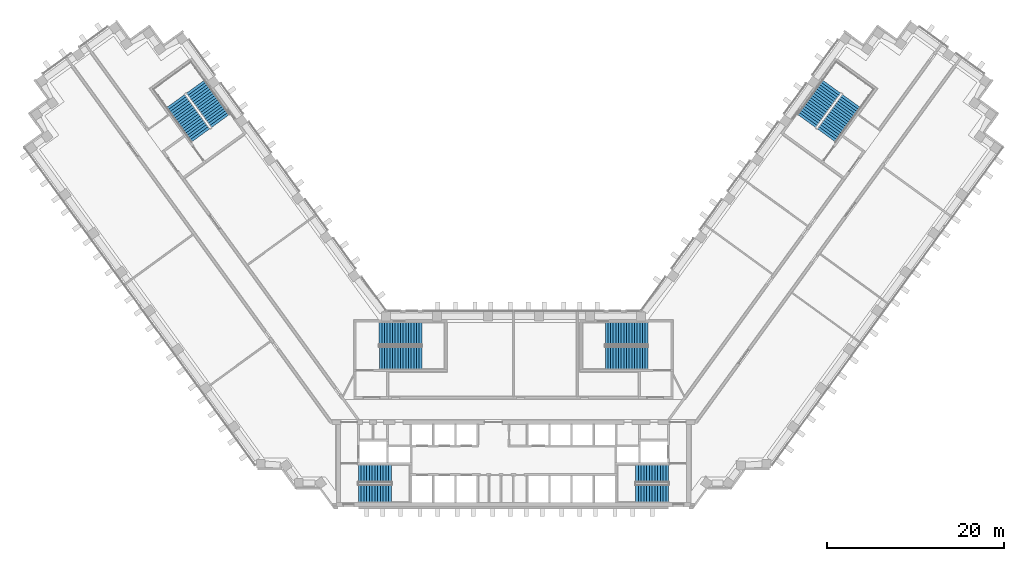
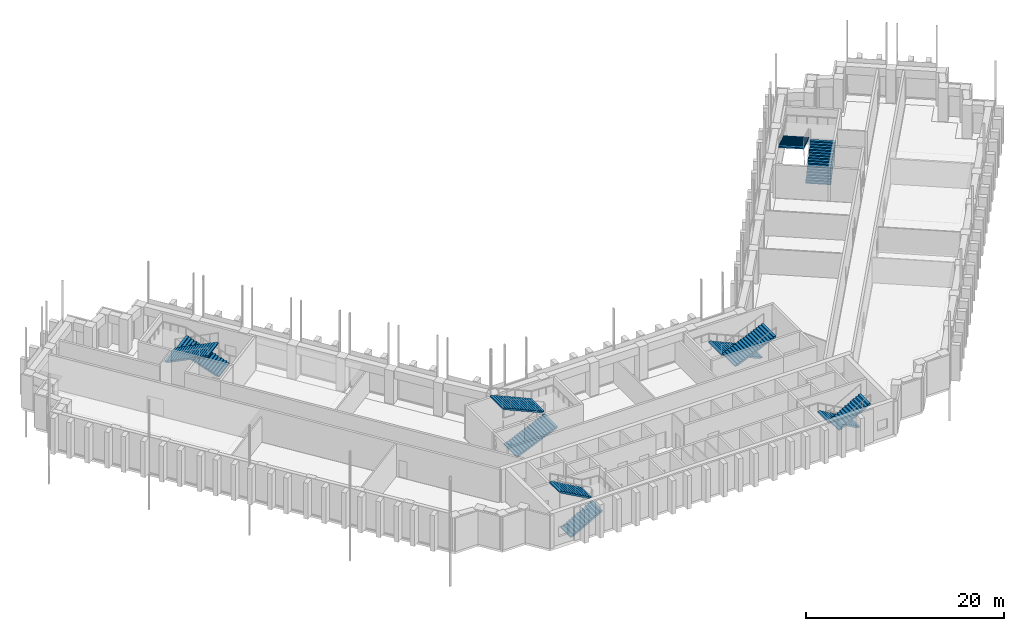
# One storey, part 15 of 18: 12 stair flights, 6 elements without a shape of their own.
"""IFC4 building model written with IfcOpenShell, lengths in metres."""

from ifc_helpers import new_model, si_unit, direction, frame, origin, place, context, subcontext, project, spatial, polyline, outline, extrude, material, type_object, element, aggregate, save


model = new_model("IFC4")

# Units and contexts
model_context = context("Model", 3, precision=1e-05, world=origin(), true_north=direction((0.0, 1.0)))
body_context = subcontext(model_context, "Body", "Model", "MODEL_VIEW")
ifc_project = project(units=[si_unit("LENGTHUNIT", "METRE"), si_unit("AREAUNIT", "SQUARE_METRE"), si_unit("VOLUMEUNIT", "CUBIC_METRE"), si_unit("PLANEANGLEUNIT", "RADIAN"), si_unit("MASSUNIT", "GRAM", prefix="KILO")], contexts=[model_context])

# Site, building, storey
site_placement = place(None, origin())
site = spatial("IfcSite", under=ifc_project, at=site_placement, CompositionType="ELEMENT")
building_placement = place(site_placement, origin())
building = spatial("IfcBuilding", under=site, at=building_placement, Name="Quipu Civic Tower", CompositionType="ELEMENT")
storey_placement = place(building_placement, frame((0.0, 0.0, 16.0)))
storey = spatial("IfcBuildingStorey", under=building, at=storey_placement, Name="L03", CompositionType="ELEMENT", Elevation=16.0)

# Stair, stair flights
ifc_material_1 = material(Name="Concrete C40/50", Category="concrete")
stair_type_1 = type_object("IfcStairType", Name="Half turn stair 2000", PredefinedType="HALF_TURN_STAIR", material=ifc_material_1)
stair_1_placement = place(storey_placement, origin())
stair_1 = element("IfcStair", 1, at=stair_1_placement, inside=storey, type_object=stair_type_1, Name="Exit stair 1", PredefinedType="HALF_TURN_STAIR")
ifc_material_2 = material(Name="Concrete C40/50", Category="concrete")
stair_flight_type_1 = type_object("IfcStairFlightType", Name="Stair flight 2000", PredefinedType="STRAIGHT", material=ifc_material_2)
stair_flight_1_placement = place(storey_placement, frame((-17.5, -9.5, 0.0), z_axis=(0.0, 0.0, 1.0), x_axis=(1.0, 0.0, 0.0)))
stair_flight_1 = element("IfcStairFlight", 2, at=stair_flight_1_placement, type_object=stair_flight_type_1, Name="ST-1 flight 1", NumberOfRisers=13, NumberOfTreads=12, PredefinedType="STRAIGHT", RiserHeight=0.173076923, TreadLength=0.31, context=body_context, shape_type="SweptSolid", body=[
    extrude(outline(polyline([(0.0, 0.0), (0.0, 0.173095703125), (0.31005859375, 0.173095703125), (0.31005859375, 0.34619140625), (0.6201171875, 0.34619140625), (0.6201171875, 0.519287109375), (0.929931640625, 0.519287109375), (0.929931640625, 0.6923828125), (1.239990234375, 0.6923828125), (1.239990234375, 0.865478515625), (1.550048828125, 0.865478515625), (1.550048828125, 1.03857421875), (1.860107421875, 1.03857421875), (1.860107421875, 1.21142578125), (2.169921875, 1.21142578125), (2.169921875, 1.384521484375), (2.47998046875, 1.384521484375), (2.47998046875, 1.5576171875), (2.7900390625, 1.5576171875), (2.7900390625, 1.730712890625), (3.10009765625, 1.730712890625), (3.10009765625, 1.90380859375), (3.409912109375, 1.90380859375), (3.409912109375, 2.076904296875), (3.719970703125, 2.076904296875), (3.719970703125, 2.25), (3.719970703125, 1.9052734375), (0.3076171875, 0.0), (0.0, 0.0)])), frame((0.0, 1.0, 0.0), z_axis=(0.0, -1.0, 0.0), x_axis=(1.0, 0.0, 0.0)), (0.0, 0.0, 1.0), 2.0),
])
stair_flight_2_placement = place(storey_placement, frame((-13.780029296875, -7.25, 2.25), z_axis=(0.0, 0.0, 1.0), x_axis=(-1.0, 0.0, 0.0)))
stair_flight_2 = element("IfcStairFlight", 3, at=stair_flight_2_placement, type_object=stair_flight_type_1, Name="ST-1 flight 2", NumberOfRisers=13, NumberOfTreads=12, PredefinedType="STRAIGHT", RiserHeight=0.173076923, TreadLength=0.31, context=body_context, shape_type="SweptSolid", body=[
    extrude(outline(polyline([(0.0, 0.0), (0.0, 0.173095703125), (0.31005859375, 0.173095703125), (0.31005859375, 0.34619140625), (0.6201171875, 0.34619140625), (0.6201171875, 0.519287109375), (0.929931640625, 0.519287109375), (0.929931640625, 0.6923828125), (1.239990234375, 0.6923828125), (1.239990234375, 0.865478515625), (1.550048828125, 0.865478515625), (1.550048828125, 1.03857421875), (1.860107421875, 1.03857421875), (1.860107421875, 1.21142578125), (2.169921875, 1.21142578125), (2.169921875, 1.384521484375), (2.47998046875, 1.384521484375), (2.47998046875, 1.5576171875), (2.7900390625, 1.5576171875), (2.7900390625, 1.730712890625), (3.10009765625, 1.730712890625), (3.10009765625, 1.90380859375), (3.409912109375, 1.90380859375), (3.409912109375, 2.076904296875), (3.719970703125, 2.076904296875), (3.719970703125, 2.25), (3.719970703125, 1.9052734375), (0.3076171875, 0.0), (0.0, 0.0)])), frame((0.0, 1.0, 0.0), z_axis=(0.0, -1.0, 0.0), x_axis=(1.0, 0.0, 0.0)), (0.0, 0.0, 1.0), 2.0),
])
aggregate(stair_1, [stair_flight_1, stair_flight_2])

stair_2_placement = place(storey_placement, origin())
stair_2 = element("IfcStair", 4, at=stair_2_placement, inside=storey, type_object=stair_type_1, Name="Exit stair 2", PredefinedType="HALF_TURN_STAIR")
stair_flight_3_placement = place(storey_placement, frame((17.5, -7.25, 0.0), z_axis=(0.0, 0.0, 1.0), x_axis=(-1.0, 0.0, 0.0)))
stair_flight_3 = element("IfcStairFlight", 5, at=stair_flight_3_placement, type_object=stair_flight_type_1, Name="ST-2 flight 1", NumberOfRisers=13, NumberOfTreads=12, PredefinedType="STRAIGHT", RiserHeight=0.173076923, TreadLength=0.31, context=body_context, shape_type="SweptSolid", body=[
    extrude(outline(polyline([(0.0, 0.0), (0.0, 0.173095703125), (0.31005859375, 0.173095703125), (0.31005859375, 0.34619140625), (0.6201171875, 0.34619140625), (0.6201171875, 0.519287109375), (0.929931640625, 0.519287109375), (0.929931640625, 0.6923828125), (1.239990234375, 0.6923828125), (1.239990234375, 0.865478515625), (1.550048828125, 0.865478515625), (1.550048828125, 1.03857421875), (1.860107421875, 1.03857421875), (1.860107421875, 1.21142578125), (2.169921875, 1.21142578125), (2.169921875, 1.384521484375), (2.47998046875, 1.384521484375), (2.47998046875, 1.5576171875), (2.7900390625, 1.5576171875), (2.7900390625, 1.730712890625), (3.10009765625, 1.730712890625), (3.10009765625, 1.90380859375), (3.409912109375, 1.90380859375), (3.409912109375, 2.076904296875), (3.719970703125, 2.076904296875), (3.719970703125, 2.25), (3.719970703125, 1.9052734375), (0.3076171875, 0.0), (0.0, 0.0)])), frame((0.0, 1.0, 0.0), z_axis=(0.0, -1.0, 0.0), x_axis=(1.0, 0.0, 0.0)), (0.0, 0.0, 1.0), 2.0),
])
stair_flight_4_placement = place(storey_placement, frame((13.780029296875, -9.5, 2.25), z_axis=(0.0, 0.0, 1.0), x_axis=(1.0, 0.0, 0.0)))
stair_flight_4 = element("IfcStairFlight", 6, at=stair_flight_4_placement, type_object=stair_flight_type_1, Name="ST-2 flight 2", NumberOfRisers=13, NumberOfTreads=12, PredefinedType="STRAIGHT", RiserHeight=0.173076923, TreadLength=0.31, context=body_context, shape_type="SweptSolid", body=[
    extrude(outline(polyline([(0.0, 0.0), (0.0, 0.173095703125), (0.31005859375, 0.173095703125), (0.31005859375, 0.34619140625), (0.6201171875, 0.34619140625), (0.6201171875, 0.519287109375), (0.929931640625, 0.519287109375), (0.929931640625, 0.6923828125), (1.239990234375, 0.6923828125), (1.239990234375, 0.865478515625), (1.550048828125, 0.865478515625), (1.550048828125, 1.03857421875), (1.860107421875, 1.03857421875), (1.860107421875, 1.21142578125), (2.169921875, 1.21142578125), (2.169921875, 1.384521484375), (2.47998046875, 1.384521484375), (2.47998046875, 1.5576171875), (2.7900390625, 1.5576171875), (2.7900390625, 1.730712890625), (3.10009765625, 1.730712890625), (3.10009765625, 1.90380859375), (3.409912109375, 1.90380859375), (3.409912109375, 2.076904296875), (3.719970703125, 2.076904296875), (3.719970703125, 2.25), (3.719970703125, 1.9052734375), (0.3076171875, 0.0), (0.0, 0.0)])), frame((0.0, 1.0, 0.0), z_axis=(0.0, -1.0, 0.0), x_axis=(1.0, 0.0, 0.0)), (0.0, 0.0, 1.0), 2.0),
])
aggregate(stair_2, [stair_flight_3, stair_flight_4])

ifc_material_3 = material(Name="Concrete C40/50", Category="concrete")
stair_type_2 = type_object("IfcStairType", Name="Half turn stair 2600", PredefinedType="HALF_TURN_STAIR", material=ifc_material_3)
stair_3_placement = place(storey_placement, origin())
stair_3 = element("IfcStair", 7, at=stair_3_placement, inside=storey, type_object=stair_type_2, Name="Exit stair 3", PredefinedType="HALF_TURN_STAIR")
ifc_material_4 = material(Name="Concrete C40/50", Category="concrete")
stair_flight_type_2 = type_object("IfcStairFlightType", Name="Stair flight 2600", PredefinedType="STRAIGHT", material=ifc_material_4)
stair_flight_5_placement = place(storey_placement, frame((-15.14990234375, 5.800048828125, 0.0), z_axis=(0.0, 0.0, 1.0), x_axis=(1.0, 0.0, 0.0)))
stair_flight_5 = element("IfcStairFlight", 8, at=stair_flight_5_placement, type_object=stair_flight_type_2, Name="ST-3 flight 1", NumberOfRisers=17, NumberOfTreads=16, PredefinedType="STRAIGHT", RiserHeight=0.132352941, TreadLength=0.3, context=body_context, shape_type="SweptSolid", body=[
    extrude(outline(polyline([(0.0, 0.0), (0.0, 0.13232421875), (0.300048828125, 0.13232421875), (0.300048828125, 0.2646484375), (0.60009765625, 0.2646484375), (0.60009765625, 0.39697265625), (0.89990234375, 0.39697265625), (0.89990234375, 0.529296875), (1.199951171875, 0.529296875), (1.199951171875, 0.661865234375), (1.5, 0.661865234375), (1.5, 0.794189453125), (1.800048828125, 0.794189453125), (1.800048828125, 0.926513671875), (2.10009765625, 0.926513671875), (2.10009765625, 1.058837890625), (2.39990234375, 1.058837890625), (2.39990234375, 1.191162109375), (2.699951171875, 1.191162109375), (2.699951171875, 1.323486328125), (3.0, 1.323486328125), (3.0, 1.455810546875), (3.300048828125, 1.455810546875), (3.300048828125, 1.588134765625), (3.60009765625, 1.588134765625), (3.60009765625, 1.720703125), (3.89990234375, 1.720703125), (3.89990234375, 1.85302734375), (4.199951171875, 1.85302734375), (4.199951171875, 1.9853515625), (4.5, 1.9853515625), (4.5, 2.11767578125), (4.800048828125, 2.11767578125), (4.800048828125, 2.25), (4.800048828125, 1.953857421875), (0.371337890625, 0.0), (0.0, 0.0)])), frame((0.0, 1.300048828125, 0.0), z_axis=(0.0, -1.0, 0.0), x_axis=(1.0, 0.0, 0.0)), (0.0, 0.0, 1.0), 2.60009765625),
])
stair_flight_6_placement = place(storey_placement, frame((-10.35009765625, 8.550048828125, 2.25), z_axis=(0.0, 0.0, 1.0), x_axis=(-1.0, 0.0, 0.0)))
stair_flight_6 = element("IfcStairFlight", 9, at=stair_flight_6_placement, type_object=stair_flight_type_2, Name="ST-3 flight 2", NumberOfRisers=17, NumberOfTreads=16, PredefinedType="STRAIGHT", RiserHeight=0.132352941, TreadLength=0.3, context=body_context, shape_type="SweptSolid", body=[
    extrude(outline(polyline([(0.0, 0.0), (0.0, 0.13232421875), (0.300048828125, 0.13232421875), (0.300048828125, 0.2646484375), (0.60009765625, 0.2646484375), (0.60009765625, 0.39697265625), (0.89990234375, 0.39697265625), (0.89990234375, 0.529296875), (1.199951171875, 0.529296875), (1.199951171875, 0.661865234375), (1.5, 0.661865234375), (1.5, 0.794189453125), (1.800048828125, 0.794189453125), (1.800048828125, 0.926513671875), (2.10009765625, 0.926513671875), (2.10009765625, 1.058837890625), (2.39990234375, 1.058837890625), (2.39990234375, 1.191162109375), (2.699951171875, 1.191162109375), (2.699951171875, 1.323486328125), (3.0, 1.323486328125), (3.0, 1.455810546875), (3.300048828125, 1.455810546875), (3.300048828125, 1.588134765625), (3.60009765625, 1.588134765625), (3.60009765625, 1.720703125), (3.89990234375, 1.720703125), (3.89990234375, 1.85302734375), (4.199951171875, 1.85302734375), (4.199951171875, 1.9853515625), (4.5, 1.9853515625), (4.5, 2.11767578125), (4.800048828125, 2.11767578125), (4.800048828125, 2.25), (4.800048828125, 1.953857421875), (0.371337890625, 0.0), (0.0, 0.0)])), frame((0.0, 1.300048828125, 0.0), z_axis=(0.0, -1.0, 0.0), x_axis=(1.0, 0.0, 0.0)), (0.0, 0.0, 1.0), 2.60009765625),
])
aggregate(stair_3, [stair_flight_5, stair_flight_6])

stair_4_placement = place(storey_placement, origin())
stair_4 = element("IfcStair", 10, at=stair_4_placement, inside=storey, type_object=stair_type_2, Name="Exit stair 4", PredefinedType="HALF_TURN_STAIR")
stair_flight_7_placement = place(storey_placement, frame((15.14990234375, 8.550048828125, 0.0), z_axis=(0.0, 0.0, 1.0), x_axis=(-1.0, 0.0, 0.0)))
stair_flight_7 = element("IfcStairFlight", 11, at=stair_flight_7_placement, type_object=stair_flight_type_2, Name="ST-4 flight 1", NumberOfRisers=17, NumberOfTreads=16, PredefinedType="STRAIGHT", RiserHeight=0.132352941, TreadLength=0.3, context=body_context, shape_type="SweptSolid", body=[
    extrude(outline(polyline([(0.0, 0.0), (0.0, 0.13232421875), (0.300048828125, 0.13232421875), (0.300048828125, 0.2646484375), (0.60009765625, 0.2646484375), (0.60009765625, 0.39697265625), (0.89990234375, 0.39697265625), (0.89990234375, 0.529296875), (1.199951171875, 0.529296875), (1.199951171875, 0.661865234375), (1.5, 0.661865234375), (1.5, 0.794189453125), (1.800048828125, 0.794189453125), (1.800048828125, 0.926513671875), (2.10009765625, 0.926513671875), (2.10009765625, 1.058837890625), (2.39990234375, 1.058837890625), (2.39990234375, 1.191162109375), (2.699951171875, 1.191162109375), (2.699951171875, 1.323486328125), (3.0, 1.323486328125), (3.0, 1.455810546875), (3.300048828125, 1.455810546875), (3.300048828125, 1.588134765625), (3.60009765625, 1.588134765625), (3.60009765625, 1.720703125), (3.89990234375, 1.720703125), (3.89990234375, 1.85302734375), (4.199951171875, 1.85302734375), (4.199951171875, 1.9853515625), (4.5, 1.9853515625), (4.5, 2.11767578125), (4.800048828125, 2.11767578125), (4.800048828125, 2.25), (4.800048828125, 1.953857421875), (0.371337890625, 0.0), (0.0, 0.0)])), frame((0.0, 1.300048828125, 0.0), z_axis=(0.0, -1.0, 0.0), x_axis=(1.0, 0.0, 0.0)), (0.0, 0.0, 1.0), 2.60009765625),
])
stair_flight_8_placement = place(storey_placement, frame((10.35009765625, 5.800048828125, 2.25), z_axis=(0.0, 0.0, 1.0), x_axis=(1.0, 0.0, 0.0)))
stair_flight_8 = element("IfcStairFlight", 12, at=stair_flight_8_placement, type_object=stair_flight_type_2, Name="ST-4 flight 2", NumberOfRisers=17, NumberOfTreads=16, PredefinedType="STRAIGHT", RiserHeight=0.132352941, TreadLength=0.3, context=body_context, shape_type="SweptSolid", body=[
    extrude(outline(polyline([(0.0, 0.0), (0.0, 0.13232421875), (0.300048828125, 0.13232421875), (0.300048828125, 0.2646484375), (0.60009765625, 0.2646484375), (0.60009765625, 0.39697265625), (0.89990234375, 0.39697265625), (0.89990234375, 0.529296875), (1.199951171875, 0.529296875), (1.199951171875, 0.661865234375), (1.5, 0.661865234375), (1.5, 0.794189453125), (1.800048828125, 0.794189453125), (1.800048828125, 0.926513671875), (2.10009765625, 0.926513671875), (2.10009765625, 1.058837890625), (2.39990234375, 1.058837890625), (2.39990234375, 1.191162109375), (2.699951171875, 1.191162109375), (2.699951171875, 1.323486328125), (3.0, 1.323486328125), (3.0, 1.455810546875), (3.300048828125, 1.455810546875), (3.300048828125, 1.588134765625), (3.60009765625, 1.588134765625), (3.60009765625, 1.720703125), (3.89990234375, 1.720703125), (3.89990234375, 1.85302734375), (4.199951171875, 1.85302734375), (4.199951171875, 1.9853515625), (4.5, 1.9853515625), (4.5, 2.11767578125), (4.800048828125, 2.11767578125), (4.800048828125, 2.25), (4.800048828125, 1.953857421875), (0.371337890625, 0.0), (0.0, 0.0)])), frame((0.0, 1.300048828125, 0.0), z_axis=(0.0, -1.0, 0.0), x_axis=(1.0, 0.0, 0.0)), (0.0, 0.0, 1.0), 2.60009765625),
])
aggregate(stair_4, [stair_flight_7, stair_flight_8])

stair_5_placement = place(storey_placement, origin())
stair_5 = element("IfcStair", 13, at=stair_5_placement, inside=storey, type_object=stair_type_2, Name="Exit stair 6", PredefinedType="HALF_TURN_STAIR")
stair_flight_9_placement = place(storey_placement, frame((-33.067626953125, 32.5322265625, 0.0), z_axis=(0.0, 0.0, 1.0), x_axis=(-0.587785252292, 0.809016994375, 0.0)))
stair_flight_9 = element("IfcStairFlight", 14, at=stair_flight_9_placement, type_object=stair_flight_type_2, Name="ST-6 flight 1", NumberOfRisers=17, NumberOfTreads=16, PredefinedType="STRAIGHT", RiserHeight=0.132352941, TreadLength=0.3, context=body_context, shape_type="SweptSolid", body=[
    extrude(outline(polyline([(0.0, 0.0), (0.0, 0.13232421875), (0.300048828125, 0.13232421875), (0.300048828125, 0.2646484375), (0.60009765625, 0.2646484375), (0.60009765625, 0.39697265625), (0.89990234375, 0.39697265625), (0.89990234375, 0.529296875), (1.199951171875, 0.529296875), (1.199951171875, 0.661865234375), (1.5, 0.661865234375), (1.5, 0.794189453125), (1.800048828125, 0.794189453125), (1.800048828125, 0.926513671875), (2.10009765625, 0.926513671875), (2.10009765625, 1.058837890625), (2.39990234375, 1.058837890625), (2.39990234375, 1.191162109375), (2.699951171875, 1.191162109375), (2.699951171875, 1.323486328125), (3.0, 1.323486328125), (3.0, 1.455810546875), (3.300048828125, 1.455810546875), (3.300048828125, 1.588134765625), (3.60009765625, 1.588134765625), (3.60009765625, 1.720703125), (3.89990234375, 1.720703125), (3.89990234375, 1.85302734375), (4.199951171875, 1.85302734375), (4.199951171875, 1.9853515625), (4.5, 1.9853515625), (4.5, 2.11767578125), (4.800048828125, 2.11767578125), (4.800048828125, 2.25), (4.800048828125, 1.953857421875), (0.371337890625, 0.0), (0.0, 0.0)])), frame((0.0, 1.300048828125, 0.0), z_axis=(0.0, -1.0, 0.0), x_axis=(1.0, 0.0, 0.0)), (0.0, 0.0, 1.0), 2.60009765625),
])
stair_flight_10_placement = place(storey_placement, frame((-38.11376953125, 34.799072265625, 2.25), z_axis=(0.0, 0.0, 1.0), x_axis=(0.587785252292, -0.809016994375, 0.0)))
stair_flight_10 = element("IfcStairFlight", 15, at=stair_flight_10_placement, type_object=stair_flight_type_2, Name="ST-6 flight 2", NumberOfRisers=17, NumberOfTreads=16, PredefinedType="STRAIGHT", RiserHeight=0.132352941, TreadLength=0.3, context=body_context, shape_type="SweptSolid", body=[
    extrude(outline(polyline([(0.0, 0.0), (0.0, 0.13232421875), (0.300048828125, 0.13232421875), (0.300048828125, 0.2646484375), (0.60009765625, 0.2646484375), (0.60009765625, 0.39697265625), (0.89990234375, 0.39697265625), (0.89990234375, 0.529296875), (1.199951171875, 0.529296875), (1.199951171875, 0.661865234375), (1.5, 0.661865234375), (1.5, 0.794189453125), (1.800048828125, 0.794189453125), (1.800048828125, 0.926513671875), (2.10009765625, 0.926513671875), (2.10009765625, 1.058837890625), (2.39990234375, 1.058837890625), (2.39990234375, 1.191162109375), (2.699951171875, 1.191162109375), (2.699951171875, 1.323486328125), (3.0, 1.323486328125), (3.0, 1.455810546875), (3.300048828125, 1.455810546875), (3.300048828125, 1.588134765625), (3.60009765625, 1.588134765625), (3.60009765625, 1.720703125), (3.89990234375, 1.720703125), (3.89990234375, 1.85302734375), (4.199951171875, 1.85302734375), (4.199951171875, 1.9853515625), (4.5, 1.9853515625), (4.5, 2.11767578125), (4.800048828125, 2.11767578125), (4.800048828125, 2.25), (4.800048828125, 1.953857421875), (0.371337890625, 0.0), (0.0, 0.0)])), frame((0.0, 1.300048828125, 0.0), z_axis=(0.0, -1.0, 0.0), x_axis=(1.0, 0.0, 0.0)), (0.0, 0.0, 1.0), 2.60009765625),
])
aggregate(stair_5, [stair_flight_9, stair_flight_10])

stair_6_placement = place(storey_placement, origin())
stair_6 = element("IfcStair", 16, at=stair_6_placement, inside=storey, type_object=stair_type_2, Name="Exit stair 7", PredefinedType="HALF_TURN_STAIR")
stair_flight_11_placement = place(storey_placement, frame((35.29248046875, 30.915771484375, 0.0), z_axis=(0.0, 0.0, 1.0), x_axis=(0.587785252292, 0.809016994375, 0.0)))
stair_flight_11 = element("IfcStairFlight", 17, at=stair_flight_11_placement, type_object=stair_flight_type_2, Name="ST-7 flight 1", NumberOfRisers=17, NumberOfTreads=16, PredefinedType="STRAIGHT", RiserHeight=0.132352941, TreadLength=0.3, context=body_context, shape_type="SweptSolid", body=[
    extrude(outline(polyline([(0.0, 0.0), (0.0, 0.13232421875), (0.300048828125, 0.13232421875), (0.300048828125, 0.2646484375), (0.60009765625, 0.2646484375), (0.60009765625, 0.39697265625), (0.89990234375, 0.39697265625), (0.89990234375, 0.529296875), (1.199951171875, 0.529296875), (1.199951171875, 0.661865234375), (1.5, 0.661865234375), (1.5, 0.794189453125), (1.800048828125, 0.794189453125), (1.800048828125, 0.926513671875), (2.10009765625, 0.926513671875), (2.10009765625, 1.058837890625), (2.39990234375, 1.058837890625), (2.39990234375, 1.191162109375), (2.699951171875, 1.191162109375), (2.699951171875, 1.323486328125), (3.0, 1.323486328125), (3.0, 1.455810546875), (3.300048828125, 1.455810546875), (3.300048828125, 1.588134765625), (3.60009765625, 1.588134765625), (3.60009765625, 1.720703125), (3.89990234375, 1.720703125), (3.89990234375, 1.85302734375), (4.199951171875, 1.85302734375), (4.199951171875, 1.9853515625), (4.5, 1.9853515625), (4.5, 2.11767578125), (4.800048828125, 2.11767578125), (4.800048828125, 2.25), (4.800048828125, 1.953857421875), (0.371337890625, 0.0), (0.0, 0.0)])), frame((0.0, 1.300048828125, 0.0), z_axis=(0.0, -1.0, 0.0), x_axis=(1.0, 0.0, 0.0)), (0.0, 0.0, 1.0), 2.60009765625),
])
stair_flight_12_placement = place(storey_placement, frame((35.888916015625, 36.41552734375, 2.25), z_axis=(0.0, 0.0, 1.0), x_axis=(-0.587785252292, -0.809016994375, 0.0)))
stair_flight_12 = element("IfcStairFlight", 18, at=stair_flight_12_placement, type_object=stair_flight_type_2, Name="ST-7 flight 2", NumberOfRisers=17, NumberOfTreads=16, PredefinedType="STRAIGHT", RiserHeight=0.132352941, TreadLength=0.3, context=body_context, shape_type="SweptSolid", body=[
    extrude(outline(polyline([(0.0, 0.0), (0.0, 0.13232421875), (0.300048828125, 0.13232421875), (0.300048828125, 0.2646484375), (0.60009765625, 0.2646484375), (0.60009765625, 0.39697265625), (0.89990234375, 0.39697265625), (0.89990234375, 0.529296875), (1.199951171875, 0.529296875), (1.199951171875, 0.661865234375), (1.5, 0.661865234375), (1.5, 0.794189453125), (1.800048828125, 0.794189453125), (1.800048828125, 0.926513671875), (2.10009765625, 0.926513671875), (2.10009765625, 1.058837890625), (2.39990234375, 1.058837890625), (2.39990234375, 1.191162109375), (2.699951171875, 1.191162109375), (2.699951171875, 1.323486328125), (3.0, 1.323486328125), (3.0, 1.455810546875), (3.300048828125, 1.455810546875), (3.300048828125, 1.588134765625), (3.60009765625, 1.588134765625), (3.60009765625, 1.720703125), (3.89990234375, 1.720703125), (3.89990234375, 1.85302734375), (4.199951171875, 1.85302734375), (4.199951171875, 1.9853515625), (4.5, 1.9853515625), (4.5, 2.11767578125), (4.800048828125, 2.11767578125), (4.800048828125, 2.25), (4.800048828125, 1.953857421875), (0.371337890625, 0.0), (0.0, 0.0)])), frame((0.0, 1.300048828125, 0.0), z_axis=(0.0, -1.0, 0.0), x_axis=(1.0, 0.0, 0.0)), (0.0, 0.0, 1.0), 2.60009765625),
])
aggregate(stair_6, [stair_flight_11, stair_flight_12])

save(model, "model.ifc")
